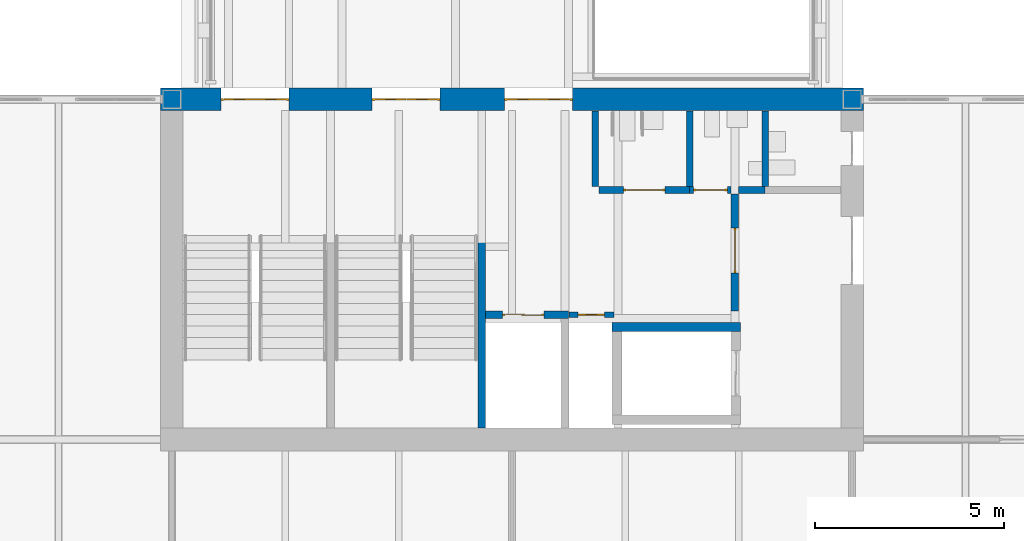
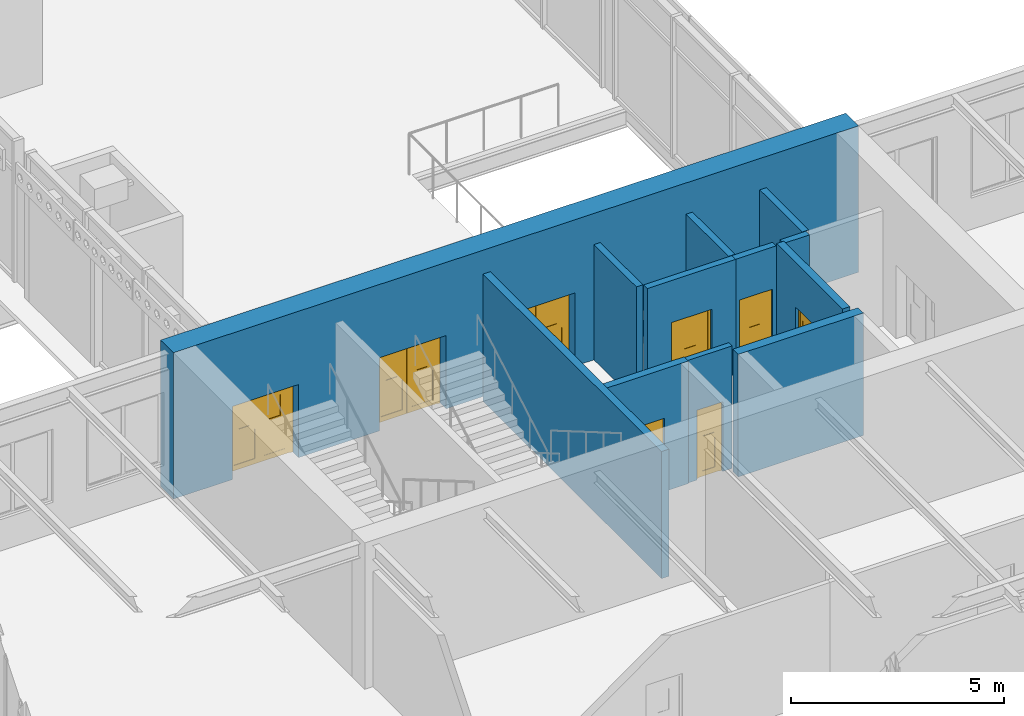
# One storey, part 62 of 123: 12 walls, 8 doors, 8 openings.
"""IFC4 building model written with IfcOpenShell, lengths in metres."""

from ifc_helpers import new_model, si_unit, direction, frame, frame_2d, origin, place, context, subcontext, project, spatial, polyline, rectangle, outline, extrude, material, layer, layer_set, type_object, element, fill, save


model = new_model("IFC4")

# Units and contexts
model_context = context("Model", 3, precision=1e-05, world=origin(), true_north=direction((0.0, 1.0)))
body_context = subcontext(model_context, "Body", "Model", "MODEL_VIEW")
ifc_project = project(units=[si_unit("LENGTHUNIT", "METRE"), si_unit("AREAUNIT", "SQUARE_METRE"), si_unit("VOLUMEUNIT", "CUBIC_METRE"), si_unit("PLANEANGLEUNIT", "RADIAN"), si_unit("MASSUNIT", "GRAM", prefix="KILO")], contexts=[model_context])

# Site, building, storey
site_placement = place(None, origin())
site = spatial("IfcSite", under=ifc_project, at=site_placement, CompositionType="ELEMENT")
building_placement = place(site_placement, origin())
building = spatial("IfcBuilding", under=site, at=building_placement, Name="Baradari Gate Terminus", CompositionType="ELEMENT")
storey_placement = place(building_placement, frame((0.0, 0.0, 7.5)))
storey = spatial("IfcBuildingStorey", under=building, at=storey_placement, Name="L01", CompositionType="ELEMENT", Elevation=7.5)

# Wall, openings, doors
ifc_material_1 = material(Name="Concrete C40/50", Category="concrete")
ifc_layer_1 = layer(ifc_material_1, 0.60009765625)
ifc_layer_set_1 = layer_set([ifc_layer_1], Name="Concrete C40/50")
wall_type_1 = type_object("IfcWallType", Name="Abutment core wall CWL04 600", PredefinedType="SOLIDWALL", material=ifc_layer_set_1)
wall_1_placement = place(storey_placement, frame((71.699951171875, 36.0, 0.0), z_axis=(0.0, 0.0, 1.0), x_axis=(1.0, 0.0, 0.0)))
wall_1 = element("IfcWall", 1, at=wall_1_placement, inside=storey, type_object=wall_type_1, Name="Abutment core wall GS N L01", PredefinedType="SOLIDWALL", context=body_context, shape_type="SweptSolid", body=[
    extrude(rectangle(XDim=18.60009765625, YDim=0.60009765625, at=frame_2d((9.300048828125, 0.0))), origin(), (0.0, 0.0, 1.0), 4.199951171875),
])
opening_1_placement = place(wall_1_placement, frame((1.60009765625, 0.0, 0.0)))
opening_1 = element("IfcOpeningElement", 2, at=opening_1_placement, cuts=wall_1, Name="Opening D01-099", PredefinedType="OPENING", context=body_context, shape_type="SweptSolid", body=[
    extrude(rectangle(XDim=1.800048828125, YDim=2.10009765625, at=frame_2d((0.89990234375, 1.050048828125))), frame((0.0, 0.31005859375, 0.0), z_axis=(0.0, -1.0, 0.0), x_axis=(1.0, 0.0, 0.0)), (0.0, 0.0, 1.0), 0.6201171875),
])
opening_2_placement = place(wall_1_placement, frame((5.60009765625, 0.0, 0.0)))
opening_2 = element("IfcOpeningElement", 3, at=opening_2_placement, cuts=wall_1, Name="Opening D01-100", PredefinedType="OPENING", context=body_context, shape_type="SweptSolid", body=[
    extrude(rectangle(XDim=1.800048828125, YDim=2.10009765625, at=frame_2d((0.89990234375, 1.050048828125))), frame((0.0, 0.31005859375, 0.0), z_axis=(0.0, -1.0, 0.0), x_axis=(1.0, 0.0, 0.0)), (0.0, 0.0, 1.0), 0.6201171875),
])
opening_3_placement = place(wall_1_placement, frame((9.10009765625, 0.0, 0.0)))
opening_3 = element("IfcOpeningElement", 4, at=opening_3_placement, cuts=wall_1, Name="Opening D01-101", PredefinedType="OPENING", context=body_context, shape_type="SweptSolid", body=[
    extrude(rectangle(XDim=1.800048828125, YDim=2.10009765625, at=frame_2d((0.89990234375, 1.050048828125))), frame((0.0, 0.31005859375, 0.0), z_axis=(0.0, -1.0, 0.0), x_axis=(1.0, 0.0, 0.0)), (0.0, 0.0, 1.0), 0.6201171875),
])
ifc_material_2 = material(Name="Steel S275", Category="steel")
door_type_1 = type_object("IfcDoorType", Name="Fire door FI-1800-FD90S 1800x2100 FD90S", OperationType="DOUBLE_DOOR_SINGLE_SWING", PredefinedType="DOOR", material=ifc_material_2)
door_1_placement = place(opening_1_placement, frame((1.800048828125, 0.0, 0.0), z_axis=(0.0, 0.0, 1.0), x_axis=(-1.0, 0.0, 0.0)))
door_1 = element("IfcDoor", 5, at=door_1_placement, inside=storey, type_object=door_type_1, Name="Door Stair (Gate South) 1", OperationType="DOUBLE_DOOR_SINGLE_SWING", OverallHeight=2.1, OverallWidth=1.8, PredefinedType="DOOR", context=body_context, shape_type="SweptSolid", body=[
    extrude(outline(polyline([(0.0, 0.0), (0.070068359375, 0.0), (0.070068359375, 2.030029296875), (1.72998046875, 2.030029296875), (1.72998046875, 0.0), (1.800048828125, 0.0), (1.800048828125, 2.10009765625), (0.0, 2.10009765625), (0.0, 0.0)])), frame((0.0, 0.02490234375, 0.0), z_axis=(0.0, -1.0, 0.0), x_axis=(1.0, 0.0, 0.0)), (0.0, 0.0, 1.0), 0.050048828125),
    extrude(outline(polyline([(0.073974609375, 0.010009765625), (0.89697265625, 0.010009765625), (0.89697265625, 2.026123046875), (0.073974609375, 2.026123046875), (0.073974609375, 0.010009765625)]), holes=[polyline([(0.194091796875, 0.159912109375), (0.77685546875, 0.159912109375), (0.77685546875, 1.010009765625), (0.194091796875, 1.010009765625), (0.194091796875, 0.159912109375)]), polyline([(0.33544921875, 1.159912109375), (0.635498046875, 1.159912109375), (0.635498046875, 1.760009765625), (0.33544921875, 1.760009765625), (0.33544921875, 1.159912109375)])]), frame((0.0, 0.017333984375, 0.0), z_axis=(0.0, -1.0, 0.0), x_axis=(1.0, 0.0, 0.0)), (0.0, 0.0, 1.0), 0.034912109375),
    extrude(rectangle(XDim=0.582763671875, YDim=0.85009765625, at=frame_2d((0.4853515625, 0.5849609375))), frame((0.0, 0.008544921875, 0.0), z_axis=(0.0, -1.0, 0.0), x_axis=(1.0, 0.0, 0.0)), (0.0, 0.0, 1.0), 0.017333984375),
    extrude(rectangle(XDim=0.300048828125, YDim=0.60009765625, at=frame_2d((0.4853515625, 1.4599609375))), frame((0.0, 0.005859375, 0.0), z_axis=(0.0, -1.0, 0.0), x_axis=(1.0, 0.0, 0.0)), (0.0, 0.0, 1.0), 0.011962890625),
    extrude(outline(polyline([(0.903076171875, 0.010009765625), (1.72607421875, 0.010009765625), (1.72607421875, 2.026123046875), (0.903076171875, 2.026123046875), (0.903076171875, 0.010009765625)]), holes=[polyline([(1.023193359375, 0.159912109375), (1.60595703125, 0.159912109375), (1.60595703125, 1.010009765625), (1.023193359375, 1.010009765625), (1.023193359375, 0.159912109375)]), polyline([(1.16455078125, 1.159912109375), (1.464599609375, 1.159912109375), (1.464599609375, 1.760009765625), (1.16455078125, 1.760009765625), (1.16455078125, 1.159912109375)])]), frame((0.0, 0.017333984375, 0.0), z_axis=(0.0, -1.0, 0.0), x_axis=(1.0, 0.0, 0.0)), (0.0, 0.0, 1.0), 0.034912109375),
    extrude(rectangle(XDim=0.582763671875, YDim=0.85009765625, at=frame_2d((1.314453125, 0.5849609375))), frame((0.0, 0.008544921875, 0.0), z_axis=(0.0, -1.0, 0.0), x_axis=(1.0, 0.0, 0.0)), (0.0, 0.0, 1.0), 0.017333984375),
    extrude(rectangle(XDim=0.300048828125, YDim=0.60009765625, at=frame_2d((1.314453125, 1.4599609375))), frame((0.0, 0.005859375, 0.0), z_axis=(0.0, -1.0, 0.0), x_axis=(1.0, 0.0, 0.0)), (0.0, 0.0, 1.0), 0.011962890625),
])
fill(opening_1, door_1)
door_2_placement = place(opening_2_placement, frame((1.800048828125, 0.0, 0.0), z_axis=(0.0, 0.0, 1.0), x_axis=(-1.0, 0.0, 0.0)))
door_2 = element("IfcDoor", 6, at=door_2_placement, inside=storey, type_object=door_type_1, Name="Door Stair (Gate South) 2", OperationType="DOUBLE_DOOR_SINGLE_SWING", OverallHeight=2.1, OverallWidth=1.8, PredefinedType="DOOR", context=body_context, shape_type="SweptSolid", body=[
    extrude(outline(polyline([(0.0, 0.0), (0.070068359375, 0.0), (0.070068359375, 2.030029296875), (1.72998046875, 2.030029296875), (1.72998046875, 0.0), (1.800048828125, 0.0), (1.800048828125, 2.10009765625), (0.0, 2.10009765625), (0.0, 0.0)])), frame((0.0, 0.02490234375, 0.0), z_axis=(0.0, -1.0, 0.0), x_axis=(1.0, 0.0, 0.0)), (0.0, 0.0, 1.0), 0.050048828125),
    extrude(outline(polyline([(0.073974609375, 0.010009765625), (0.89697265625, 0.010009765625), (0.89697265625, 2.026123046875), (0.073974609375, 2.026123046875), (0.073974609375, 0.010009765625)]), holes=[polyline([(0.194091796875, 0.159912109375), (0.77685546875, 0.159912109375), (0.77685546875, 1.010009765625), (0.194091796875, 1.010009765625), (0.194091796875, 0.159912109375)]), polyline([(0.33544921875, 1.159912109375), (0.635498046875, 1.159912109375), (0.635498046875, 1.760009765625), (0.33544921875, 1.760009765625), (0.33544921875, 1.159912109375)])]), frame((0.0, 0.017333984375, 0.0), z_axis=(0.0, -1.0, 0.0), x_axis=(1.0, 0.0, 0.0)), (0.0, 0.0, 1.0), 0.034912109375),
    extrude(rectangle(XDim=0.582763671875, YDim=0.85009765625, at=frame_2d((0.4853515625, 0.5849609375))), frame((0.0, 0.008544921875, 0.0), z_axis=(0.0, -1.0, 0.0), x_axis=(1.0, 0.0, 0.0)), (0.0, 0.0, 1.0), 0.017333984375),
    extrude(rectangle(XDim=0.300048828125, YDim=0.60009765625, at=frame_2d((0.4853515625, 1.4599609375))), frame((0.0, 0.005859375, 0.0), z_axis=(0.0, -1.0, 0.0), x_axis=(1.0, 0.0, 0.0)), (0.0, 0.0, 1.0), 0.011962890625),
    extrude(outline(polyline([(0.903076171875, 0.010009765625), (1.72607421875, 0.010009765625), (1.72607421875, 2.026123046875), (0.903076171875, 2.026123046875), (0.903076171875, 0.010009765625)]), holes=[polyline([(1.023193359375, 0.159912109375), (1.60595703125, 0.159912109375), (1.60595703125, 1.010009765625), (1.023193359375, 1.010009765625), (1.023193359375, 0.159912109375)]), polyline([(1.16455078125, 1.159912109375), (1.464599609375, 1.159912109375), (1.464599609375, 1.760009765625), (1.16455078125, 1.760009765625), (1.16455078125, 1.159912109375)])]), frame((0.0, 0.017333984375, 0.0), z_axis=(0.0, -1.0, 0.0), x_axis=(1.0, 0.0, 0.0)), (0.0, 0.0, 1.0), 0.034912109375),
    extrude(rectangle(XDim=0.582763671875, YDim=0.85009765625, at=frame_2d((1.314453125, 0.5849609375))), frame((0.0, 0.008544921875, 0.0), z_axis=(0.0, -1.0, 0.0), x_axis=(1.0, 0.0, 0.0)), (0.0, 0.0, 1.0), 0.017333984375),
    extrude(rectangle(XDim=0.300048828125, YDim=0.60009765625, at=frame_2d((1.314453125, 1.4599609375))), frame((0.0, 0.005859375, 0.0), z_axis=(0.0, -1.0, 0.0), x_axis=(1.0, 0.0, 0.0)), (0.0, 0.0, 1.0), 0.011962890625),
])
fill(opening_2, door_2)
door_3_placement = place(opening_3_placement, frame((1.800048828125, 0.0, 0.0), z_axis=(0.0, 0.0, 1.0), x_axis=(-1.0, 0.0, 0.0)))
door_3 = element("IfcDoor", 7, at=door_3_placement, inside=storey, type_object=door_type_1, Name="Door Lift Lobby", OperationType="DOUBLE_DOOR_SINGLE_SWING", OverallHeight=2.1, OverallWidth=1.8, PredefinedType="DOOR", context=body_context, shape_type="SweptSolid", body=[
    extrude(outline(polyline([(0.0, 0.0), (0.070068359375, 0.0), (0.070068359375, 2.030029296875), (1.72998046875, 2.030029296875), (1.72998046875, 0.0), (1.800048828125, 0.0), (1.800048828125, 2.10009765625), (0.0, 2.10009765625), (0.0, 0.0)])), frame((0.0, 0.02490234375, 0.0), z_axis=(0.0, -1.0, 0.0), x_axis=(1.0, 0.0, 0.0)), (0.0, 0.0, 1.0), 0.050048828125),
    extrude(outline(polyline([(0.073974609375, 0.010009765625), (0.89697265625, 0.010009765625), (0.89697265625, 2.026123046875), (0.073974609375, 2.026123046875), (0.073974609375, 0.010009765625)]), holes=[polyline([(0.194091796875, 0.159912109375), (0.77685546875, 0.159912109375), (0.77685546875, 1.010009765625), (0.194091796875, 1.010009765625), (0.194091796875, 0.159912109375)]), polyline([(0.33544921875, 1.159912109375), (0.635498046875, 1.159912109375), (0.635498046875, 1.760009765625), (0.33544921875, 1.760009765625), (0.33544921875, 1.159912109375)])]), frame((0.0, 0.017333984375, 0.0), z_axis=(0.0, -1.0, 0.0), x_axis=(1.0, 0.0, 0.0)), (0.0, 0.0, 1.0), 0.034912109375),
    extrude(rectangle(XDim=0.582763671875, YDim=0.85009765625, at=frame_2d((0.4853515625, 0.5849609375))), frame((0.0, 0.008544921875, 0.0), z_axis=(0.0, -1.0, 0.0), x_axis=(1.0, 0.0, 0.0)), (0.0, 0.0, 1.0), 0.017333984375),
    extrude(rectangle(XDim=0.300048828125, YDim=0.60009765625, at=frame_2d((0.4853515625, 1.4599609375))), frame((0.0, 0.005859375, 0.0), z_axis=(0.0, -1.0, 0.0), x_axis=(1.0, 0.0, 0.0)), (0.0, 0.0, 1.0), 0.011962890625),
    extrude(outline(polyline([(0.903076171875, 0.010009765625), (1.72607421875, 0.010009765625), (1.72607421875, 2.026123046875), (0.903076171875, 2.026123046875), (0.903076171875, 0.010009765625)]), holes=[polyline([(1.023193359375, 0.159912109375), (1.60595703125, 0.159912109375), (1.60595703125, 1.010009765625), (1.023193359375, 1.010009765625), (1.023193359375, 0.159912109375)]), polyline([(1.16455078125, 1.159912109375), (1.464599609375, 1.159912109375), (1.464599609375, 1.760009765625), (1.16455078125, 1.760009765625), (1.16455078125, 1.159912109375)])]), frame((0.0, 0.017333984375, 0.0), z_axis=(0.0, -1.0, 0.0), x_axis=(1.0, 0.0, 0.0)), (0.0, 0.0, 1.0), 0.034912109375),
    extrude(rectangle(XDim=0.582763671875, YDim=0.85009765625, at=frame_2d((1.314453125, 0.5849609375))), frame((0.0, 0.008544921875, 0.0), z_axis=(0.0, -1.0, 0.0), x_axis=(1.0, 0.0, 0.0)), (0.0, 0.0, 1.0), 0.017333984375),
    extrude(rectangle(XDim=0.300048828125, YDim=0.60009765625, at=frame_2d((1.314453125, 1.4599609375))), frame((0.0, 0.005859375, 0.0), z_axis=(0.0, -1.0, 0.0), x_axis=(1.0, 0.0, 0.0)), (0.0, 0.0, 1.0), 0.011962890625),
])
fill(opening_3, door_3)

# Wall
ifc_material_3 = material(Name="Concrete C32/40", Category="concrete")
ifc_layer_2 = layer(ifc_material_3, 0.25)
ifc_layer_set_2 = layer_set([ifc_layer_2], Name="Concrete C32/40")
wall_type_2 = type_object("IfcWallType", Name="Firefighting lift shaft wall SH-2 250 EI 120", PredefinedType="SOLIDWALL", material=ifc_layer_set_2)
wall_2_placement = place(storey_placement, frame((83.64990234375, 29.97509765625, 0.0), z_axis=(0.0, 0.0, 1.0), x_axis=(1.0, 0.0, 0.0)))
element("IfcWall", 8, at=wall_2_placement, inside=storey, type_object=wall_type_2, Name="Lift shaft wall LGS2 L01 N", PredefinedType="SOLIDWALL", context=body_context, shape_type="SweptSolid", body=[
    extrude(rectangle(XDim=3.400146484375, YDim=0.25, at=frame_2d((1.7001953125, 0.0))), origin(), (0.0, 0.0, 1.0), 3.51611328125),
])

# Wall, opening, door
ifc_material_4 = material(Name="Blockwork wall, fire rated", Category="masonry")
ifc_layer_3 = layer(ifc_material_4, 0.199951171875)
ifc_layer_set_3 = layer_set([ifc_layer_3], Name="Blockwork wall, fire rated")
wall_type_3 = type_object("IfcWallType", Name="Lift shaft wall SH-1 200 EI 120", PredefinedType="SOLIDWALL", material=ifc_layer_set_3)
wall_3_placement = place(storey_placement, frame((80.302001953125, 30.300048828125, 0.0), z_axis=(0.0, 0.0, 1.0), x_axis=(1.0, 0.0, 0.0)))
wall_3 = element("IfcWall", 9, at=wall_3_placement, inside=storey, type_object=wall_type_3, Name="Lift shaft wall LGS1 L01 N", PredefinedType="SOLIDWALL", context=body_context, shape_type="SweptSolid", body=[
    extrude(rectangle(XDim=2.197998046875, YDim=0.199951171875, at=frame_2d((1.09912109375, 0.0))), origin(), (0.0, 0.0, 1.0), 3.51611328125),
])
opening_4_placement = place(wall_3_placement, frame((0.447998046875, 0.0, 0.0)))
opening_4 = element("IfcOpeningElement", 10, at=opening_4_placement, cuts=wall_3, Name="Opening D01-003", PredefinedType="OPENING", context=body_context, shape_type="SweptSolid", body=[
    extrude(rectangle(XDim=1.10009765625, YDim=2.10009765625, at=frame_2d((0.550048828125, 1.050048828125))), frame((0.0, 0.10986328125, 0.0), z_axis=(0.0, -1.0, 0.0), x_axis=(1.0, 0.0, 0.0)), (0.0, 0.0, 1.0), 0.219970703125),
])
ifc_material_5 = material(Name="Stainless steel 1.4301", Category="steel")
door_type_2 = type_object("IfcDoorType", Name="Lift landing door LD 1100x2100 E 120", OperationType="SLIDING_TO_LEFT", PredefinedType="DOOR", material=ifc_material_5)
door_4_placement = place(opening_4_placement, origin())
door_4 = element("IfcDoor", 11, at=door_4_placement, inside=storey, type_object=door_type_2, Name="Lift landing door LGS1 L01", OperationType="SLIDING_TO_LEFT", OverallHeight=2.1, OverallWidth=1.1, PredefinedType="DOOR", context=body_context, shape_type="SweptSolid", body=[
    extrude(outline(polyline([(0.0, 0.0), (0.070068359375, 0.0), (0.070068359375, 2.030029296875), (1.030029296875, 2.030029296875), (1.030029296875, 0.0), (1.10009765625, 0.0), (1.10009765625, 2.10009765625), (0.0, 2.10009765625), (0.0, 0.0)])), frame((0.0, 0.02490234375, 0.0), z_axis=(0.0, -1.0, 0.0), x_axis=(1.0, 0.0, 0.0)), (0.0, 0.0, 1.0), 0.050048828125),
    extrude(rectangle(XDim=0.523681640625, YDim=2.01611328125, at=frame_2d((0.3359375, 1.01806640625))), frame((0.0, 0.017822265625, 0.0), z_axis=(0.0, -1.0, 0.0), x_axis=(1.0, 0.0, 0.0)), (0.0, 0.0, 1.0), 0.015869140625),
    extrude(rectangle(XDim=0.519775390625, YDim=2.01611328125, at=frame_2d((0.76611328125, 1.01806640625))), frame((0.0, -0.002197265625, 0.0), z_axis=(0.0, -1.0, 0.0), x_axis=(1.0, 0.0, 0.0)), (0.0, 0.0, 1.0), 0.015869140625),
])
fill(opening_4, door_4)

ifc_material_6 = material(Name="Blockwork wall, plastered, fire rated", Category="masonry")
ifc_layer_4 = layer(ifc_material_6, 0.199951171875)
ifc_layer_set_4 = layer_set([ifc_layer_4], Name="Blockwork wall, plastered, fire rated")
wall_type_4 = type_object("IfcWallType", Name="Lobby partition PT-4 200 EI 60", PredefinedType="PARTITIONING", material=ifc_layer_set_4)
wall_4_placement = place(storey_placement, frame((86.89990234375, 33.5, 0.0), z_axis=(0.0, 0.0, 1.0), x_axis=(0.0, -1.0, 0.0)))
wall_4 = element("IfcWall", 12, at=wall_4_placement, inside=storey, type_object=wall_type_4, Name="PT-4 partition Lift Lobby / Lift Lobby (Fire-fighting)", PredefinedType="PARTITIONING", context=body_context, shape_type="SweptSolid", body=[
    extrude(rectangle(XDim=3.10009765625, YDim=0.199951171875, at=frame_2d((1.550048828125, 0.0))), origin(), (0.0, 0.0, 1.0), 3.382080078125),
])
opening_5_placement = place(wall_4_placement, frame((0.89990234375, 0.0, 0.0)))
opening_5 = element("IfcOpeningElement", 13, at=opening_5_placement, cuts=wall_4, Name="Opening D01-102", PredefinedType="OPENING", context=body_context, shape_type="SweptSolid", body=[
    extrude(rectangle(XDim=1.199951171875, YDim=2.10009765625, at=frame_2d((0.60009765625, 1.050048828125))), frame((0.0, 0.10986328125, 0.0), z_axis=(0.0, -1.0, 0.0), x_axis=(1.0, 0.0, 0.0)), (0.0, 0.0, 1.0), 0.219970703125),
])
ifc_material_7 = material(Name="Steel S275", Category="steel")
door_type_3 = type_object("IfcDoorType", Name="Fire door FI-1200-FD60S 1200x2100 FD60S", OperationType="DOUBLE_DOOR_SINGLE_SWING", PredefinedType="DOOR", material=ifc_material_7)
door_5_placement = place(opening_5_placement, origin())
door_5 = element("IfcDoor", 14, at=door_5_placement, inside=storey, type_object=door_type_3, Name="Door Lift Lobby (Fire-fighting)", OperationType="DOUBLE_DOOR_SINGLE_SWING", OverallHeight=2.1, OverallWidth=1.2, PredefinedType="DOOR", context=body_context, shape_type="SweptSolid", body=[
    extrude(outline(polyline([(0.0, 0.0), (0.070068359375, 0.0), (0.070068359375, 2.030029296875), (1.1298828125, 2.030029296875), (1.1298828125, 0.0), (1.199951171875, 0.0), (1.199951171875, 2.10009765625), (0.0, 2.10009765625), (0.0, 0.0)])), frame((0.0, 0.02490234375, 0.0), z_axis=(0.0, -1.0, 0.0), x_axis=(1.0, 0.0, 0.0)), (0.0, 0.0, 1.0), 0.050048828125),
    extrude(outline(polyline([(0.073974609375, 0.010009765625), (0.596923828125, 0.010009765625), (0.596923828125, 2.026123046875), (0.073974609375, 2.026123046875), (0.073974609375, 0.010009765625)]), holes=[polyline([(0.178466796875, 0.372802734375), (0.492431640625, 0.372802734375), (0.492431640625, 1.7841796875), (0.178466796875, 1.7841796875), (0.178466796875, 0.372802734375)])]), frame((0.0, 0.017333984375, 0.0), z_axis=(0.0, -1.0, 0.0), x_axis=(1.0, 0.0, 0.0)), (0.0, 0.0, 1.0), 0.034912109375),
    extrude(rectangle(XDim=0.31396484375, YDim=1.411376953125, at=frame_2d((0.33544921875, 1.07861328125))), frame((0.0, 0.008544921875, 0.0), z_axis=(0.0, -1.0, 0.0), x_axis=(1.0, 0.0, 0.0)), (0.0, 0.0, 1.0), 0.017333984375),
    extrude(outline(polyline([(0.60302734375, 0.010009765625), (1.1259765625, 0.010009765625), (1.1259765625, 2.026123046875), (0.60302734375, 2.026123046875), (0.60302734375, 0.010009765625)]), holes=[polyline([(0.70751953125, 0.372802734375), (1.021484375, 0.372802734375), (1.021484375, 1.7841796875), (0.70751953125, 1.7841796875), (0.70751953125, 0.372802734375)])]), frame((0.0, 0.017333984375, 0.0), z_axis=(0.0, -1.0, 0.0), x_axis=(1.0, 0.0, 0.0)), (0.0, 0.0, 1.0), 0.034912109375),
    extrude(rectangle(XDim=0.31396484375, YDim=1.411376953125, at=frame_2d((0.864501953125, 1.07861328125))), frame((0.0, 0.008544921875, 0.0), z_axis=(0.0, -1.0, 0.0), x_axis=(1.0, 0.0, 0.0)), (0.0, 0.0, 1.0), 0.017333984375),
])
fill(opening_5, door_5)

ifc_material_8 = material(Name="Blockwork wall, fire rated", Category="masonry")
ifc_layer_5 = layer(ifc_material_8, 0.14990234375)
ifc_layer_set_5 = layer_set([ifc_layer_5], Name="Blockwork wall, fire rated")
wall_type_5 = type_object("IfcWallType", Name="Riser wall RW-1 150 EI 120", PredefinedType="SOLIDWALL", material=ifc_layer_set_5)
wall_5_placement = place(storey_placement, frame((83.699951171875, 30.300048828125, 0.0), z_axis=(0.0, 0.0, 1.0), x_axis=(-1.0, 0.0, 0.0)))
wall_5 = element("IfcWall", 15, at=wall_5_placement, inside=storey, type_object=wall_type_5, Name="RW-1 partition Lift Lobby / Riser", PredefinedType="SOLIDWALL", context=body_context, shape_type="SweptSolid", body=[
    extrude(rectangle(XDim=1.197998046875, YDim=0.14990234375, at=frame_2d((0.59912109375, 0.0))), origin(), (0.0, 0.0, 1.0), 3.51611328125),
])
opening_6_placement = place(wall_5_placement, frame((0.25, 0.0, 0.0)))
opening_6 = element("IfcOpeningElement", 16, at=opening_6_placement, cuts=wall_5, Name="Opening D01-104", PredefinedType="OPENING", context=body_context, shape_type="SweptSolid", body=[
    extrude(rectangle(XDim=0.699951171875, YDim=2.0, at=frame_2d((0.35009765625, 1.0))), frame((0.0, 0.0849609375, 0.0), z_axis=(0.0, -1.0, 0.0), x_axis=(1.0, 0.0, 0.0)), (0.0, 0.0, 1.0), 0.169921875),
])
ifc_material_9 = material(Name="Steel S275", Category="steel")
door_type_4 = type_object("IfcDoorType", Name="Fire door FI-700x2000-FD90S 700x2000 FD90S", OperationType="SINGLE_SWING_LEFT", PredefinedType="DOOR", material=ifc_material_9)
door_6_placement = place(opening_6_placement, origin())
door_6 = element("IfcDoor", 17, at=door_6_placement, inside=storey, type_object=door_type_4, Name="Door Riser", OperationType="SINGLE_SWING_RIGHT", OverallHeight=2.0, OverallWidth=0.7, PredefinedType="DOOR", context=body_context, shape_type="SweptSolid", body=[
    extrude(outline(polyline([(0.0, 0.0), (0.070068359375, 0.0), (0.070068359375, 1.929931640625), (0.6298828125, 1.929931640625), (0.6298828125, 0.0), (0.699951171875, 0.0), (0.699951171875, 2.0), (0.0, 2.0), (0.0, 0.0)])), frame((0.0, 0.02490234375, 0.0), z_axis=(0.0, -1.0, 0.0), x_axis=(1.0, 0.0, 0.0)), (0.0, 0.0, 1.0), 0.050048828125),
    extrude(outline(polyline([(0.073974609375, 0.010009765625), (0.6259765625, 0.010009765625), (0.6259765625, 1.926025390625), (0.073974609375, 1.926025390625), (0.073974609375, 0.010009765625)]), holes=[polyline([(0.184326171875, 0.159912109375), (0.515625, 0.159912109375), (0.515625, 1.010009765625), (0.184326171875, 1.010009765625), (0.184326171875, 0.159912109375)]), polyline([(0.199951171875, 1.159912109375), (0.5, 1.159912109375), (0.5, 1.760009765625), (0.199951171875, 1.760009765625), (0.199951171875, 1.159912109375)])]), frame((0.0, 0.017333984375, 0.0), z_axis=(0.0, -1.0, 0.0), x_axis=(1.0, 0.0, 0.0)), (0.0, 0.0, 1.0), 0.034912109375),
    extrude(rectangle(XDim=0.331298828125, YDim=0.85009765625, at=frame_2d((0.35009765625, 0.5849609375))), frame((0.0, 0.008544921875, 0.0), z_axis=(0.0, -1.0, 0.0), x_axis=(1.0, 0.0, 0.0)), (0.0, 0.0, 1.0), 0.017333984375),
    extrude(rectangle(XDim=0.300048828125, YDim=0.60009765625, at=frame_2d((0.35009765625, 1.4599609375))), frame((0.0, 0.005859375, 0.0), z_axis=(0.0, -1.0, 0.0), x_axis=(1.0, 0.0, 0.0)), (0.0, 0.0, 1.0), 0.011962890625),
])
fill(opening_6, door_6)

# Walls
ifc_material_10 = material(Name="Concrete C40/50", Category="concrete")
ifc_layer_6 = layer(ifc_material_10, 0.199951171875)
ifc_layer_set_6 = layer_set([ifc_layer_6], Name="Concrete C40/50")
wall_type_6 = type_object("IfcWallType", Name="Stair enclosure wall SE-4 200 EI 120", PredefinedType="SOLIDWALL", material=ifc_layer_set_6)
wall_6_placement = place(storey_placement, frame((80.199951171875, 27.302001953125, -0.1298828125), z_axis=(0.0, 0.0, 1.0), x_axis=(0.0, 1.0, 0.0)))
element("IfcWall", 18, at=wall_6_placement, inside=storey, type_object=wall_type_6, Name="Stair enclosure wall SE-4 ST-GS2 L01 E", PredefinedType="SOLIDWALL", context=body_context, shape_type="SweptSolid", body=[
    extrude(rectangle(XDim=8.39599609375, YDim=0.199951171875, at=frame_2d((4.197998046875, 0.0))), origin(), (0.0, 0.0, 1.0), 3.64599609375),
])
ifc_material_11 = material(Name="Blockwork wall, tiled both faces", Category="masonry")
ifc_layer_7 = layer(ifc_material_11, 0.175048828125)
ifc_layer_set_7 = layer_set([ifc_layer_7], Name="Blockwork wall, tiled both faces")
wall_type_7 = type_object("IfcWallType", Name="WC wet wall PT-6 175 EI 60", PredefinedType="PARTITIONING", material=ifc_layer_set_7)
wall_7_placement = place(storey_placement, frame((83.199951171875, 35.697998046875, 0.0), z_axis=(0.0, 0.0, 1.0), x_axis=(0.0, -1.0, 0.0)))
element("IfcWall", 19, at=wall_7_placement, inside=storey, type_object=wall_type_7, Name="PT-6 partition Lift Lobby / Accessible WC", PredefinedType="PARTITIONING", context=body_context, shape_type="SweptSolid", body=[
    extrude(rectangle(XDim=1.998046875, YDim=0.175048828125, at=frame_2d((0.9990234375, 0.0))), origin(), (0.0, 0.0, 1.0), 3.306884765625),
])

# Wall, opening, door
wall_8_placement = place(storey_placement, frame((83.300048828125, 33.60009765625, 0.0), z_axis=(0.0, 0.0, 1.0), x_axis=(1.0, 0.0, 0.0)))
wall_8 = element("IfcWall", 20, at=wall_8_placement, inside=storey, type_object=wall_type_7, Name="PT-6 partition Lift Lobby / Accessible WC", PredefinedType="PARTITIONING", context=body_context, shape_type="SweptSolid", body=[
    extrude(rectangle(XDim=2.39990234375, YDim=0.175048828125, at=frame_2d((1.199951171875, 0.0))), origin(), (0.0, 0.0, 1.0), 3.306884765625),
])
opening_7_placement = place(wall_8_placement, frame((0.64990234375, 0.0, 0.0)))
opening_7 = element("IfcOpeningElement", 21, at=opening_7_placement, cuts=wall_8, Name="Opening D01-105", PredefinedType="OPENING", context=body_context, shape_type="SweptSolid", body=[
    extrude(rectangle(XDim=1.10009765625, YDim=2.10009765625, at=frame_2d((0.550048828125, 1.050048828125))), frame((0.0, 0.097412109375, 0.0), z_axis=(0.0, -1.0, 0.0), x_axis=(1.0, 0.0, 0.0)), (0.0, 0.0, 1.0), 0.195068359375),
])
ifc_material_12 = material(Name="Steel S275", Category="steel")
door_type_5 = type_object("IfcDoorType", Name="Fire door FI-1100-FD60S 1100x2100 FD60S", OperationType="SINGLE_SWING_LEFT", PredefinedType="DOOR", material=ifc_material_12)
door_7_placement = place(opening_7_placement, origin())
door_7 = element("IfcDoor", 22, at=door_7_placement, inside=storey, type_object=door_type_5, Name="Door Accessible WC", OperationType="SINGLE_SWING_LEFT", OverallHeight=2.1, OverallWidth=1.1, PredefinedType="DOOR", context=body_context, shape_type="SweptSolid", body=[
    extrude(outline(polyline([(0.0, 0.0), (0.070068359375, 0.0), (0.070068359375, 2.030029296875), (1.030029296875, 2.030029296875), (1.030029296875, 0.0), (1.10009765625, 0.0), (1.10009765625, 2.10009765625), (0.0, 2.10009765625), (0.0, 0.0)])), frame((0.0, 0.02490234375, 0.0), z_axis=(0.0, -1.0, 0.0), x_axis=(1.0, 0.0, 0.0)), (0.0, 0.0, 1.0), 0.050048828125),
    extrude(outline(polyline([(0.073974609375, 0.010009765625), (1.026123046875, 0.010009765625), (1.026123046875, 2.026123046875), (0.073974609375, 2.026123046875), (0.073974609375, 0.010009765625)]), holes=[polyline([(0.194091796875, 0.159912109375), (0.906005859375, 0.159912109375), (0.906005859375, 1.010009765625), (0.194091796875, 1.010009765625), (0.194091796875, 0.159912109375)]), polyline([(0.400146484375, 1.159912109375), (0.699951171875, 1.159912109375), (0.699951171875, 1.760009765625), (0.400146484375, 1.760009765625), (0.400146484375, 1.159912109375)])]), frame((0.0, 0.017333984375, 0.0), z_axis=(0.0, -1.0, 0.0), x_axis=(1.0, 0.0, 0.0)), (0.0, 0.0, 1.0), 0.034912109375),
    extrude(rectangle(XDim=0.7119140625, YDim=0.85009765625, at=frame_2d((0.550048828125, 0.5849609375))), frame((0.0, 0.008544921875, 0.0), z_axis=(0.0, -1.0, 0.0), x_axis=(1.0, 0.0, 0.0)), (0.0, 0.0, 1.0), 0.017333984375),
    extrude(rectangle(XDim=0.2998046875, YDim=0.60009765625, at=frame_2d((0.550048828125, 1.4599609375))), frame((0.0, 0.005859375, 0.0), z_axis=(0.0, -1.0, 0.0), x_axis=(1.0, 0.0, 0.0)), (0.0, 0.0, 1.0), 0.011962890625),
])
fill(opening_7, door_7)

wall_9_placement = place(storey_placement, frame((85.699951171875, 33.60009765625, 0.0), z_axis=(0.0, 0.0, 1.0), x_axis=(1.0, 0.0, 0.0)))
wall_9 = element("IfcWall", 23, at=wall_9_placement, inside=storey, type_object=wall_type_7, Name="PT-6 partition Lift Lobby / Male WC", PredefinedType="PARTITIONING", context=body_context, shape_type="SweptSolid", body=[
    extrude(rectangle(XDim=1.10009765625, YDim=0.175048828125, at=frame_2d((0.550048828125, 0.0))), origin(), (0.0, 0.0, 1.0), 3.306884765625),
])
opening_8_placement = place(wall_9_placement, frame((0.10009765625, 0.0, 0.0)))
opening_8 = element("IfcOpeningElement", 24, at=opening_8_placement, cuts=wall_9, Name="Opening D01-106", PredefinedType="OPENING", context=body_context, shape_type="SweptSolid", body=[
    extrude(rectangle(XDim=0.89990234375, YDim=2.10009765625, at=frame_2d((0.449951171875, 1.050048828125))), frame((0.0, 0.097412109375, 0.0), z_axis=(0.0, -1.0, 0.0), x_axis=(1.0, 0.0, 0.0)), (0.0, 0.0, 1.0), 0.195068359375),
])
ifc_material_13 = material(Name="Steel S275", Category="steel")
door_type_6 = type_object("IfcDoorType", Name="Fire door FI-900-FD60S 900x2100 FD60S", OperationType="SINGLE_SWING_LEFT", PredefinedType="DOOR", material=ifc_material_13)
door_8_placement = place(opening_8_placement, origin())
door_8 = element("IfcDoor", 25, at=door_8_placement, inside=storey, type_object=door_type_6, Name="Door Male WC", OperationType="SINGLE_SWING_LEFT", OverallHeight=2.1, OverallWidth=0.9, PredefinedType="DOOR", context=body_context, shape_type="SweptSolid", body=[
    extrude(outline(polyline([(0.0, 0.0), (0.070068359375, 0.0), (0.070068359375, 2.030029296875), (0.829833984375, 2.030029296875), (0.829833984375, 0.0), (0.89990234375, 0.0), (0.89990234375, 2.10009765625), (0.0, 2.10009765625), (0.0, 0.0)])), frame((0.0, 0.02490234375, 0.0), z_axis=(0.0, -1.0, 0.0), x_axis=(1.0, 0.0, 0.0)), (0.0, 0.0, 1.0), 0.050048828125),
    extrude(outline(polyline([(0.073974609375, 0.010009765625), (0.825927734375, 0.010009765625), (0.825927734375, 2.026123046875), (0.073974609375, 2.026123046875), (0.073974609375, 0.010009765625)]), holes=[polyline([(0.194091796875, 0.159912109375), (0.705810546875, 0.159912109375), (0.705810546875, 1.010009765625), (0.194091796875, 1.010009765625), (0.194091796875, 0.159912109375)]), polyline([(0.300048828125, 1.159912109375), (0.599853515625, 1.159912109375), (0.599853515625, 1.760009765625), (0.300048828125, 1.760009765625), (0.300048828125, 1.159912109375)])]), frame((0.0, 0.017333984375, 0.0), z_axis=(0.0, -1.0, 0.0), x_axis=(1.0, 0.0, 0.0)), (0.0, 0.0, 1.0), 0.034912109375),
    extrude(rectangle(XDim=0.51171875, YDim=0.85009765625, at=frame_2d((0.449951171875, 0.5849609375))), frame((0.0, 0.008544921875, 0.0), z_axis=(0.0, -1.0, 0.0), x_axis=(1.0, 0.0, 0.0)), (0.0, 0.0, 1.0), 0.017333984375),
    extrude(rectangle(XDim=0.2998046875, YDim=0.60009765625, at=frame_2d((0.449951171875, 1.4599609375))), frame((0.0, 0.005859375, 0.0), z_axis=(0.0, -1.0, 0.0), x_axis=(1.0, 0.0, 0.0)), (0.0, 0.0, 1.0), 0.011962890625),
])
fill(opening_8, door_8)

# Walls
wall_10_placement = place(storey_placement, frame((87.0, 33.60009765625, 0.0), z_axis=(0.0, 0.0, 1.0), x_axis=(1.0, 0.0, 0.0)))
element("IfcWall", 26, at=wall_10_placement, inside=storey, type_object=wall_type_7, Name="PT-6 partition Lift Lobby (Fire-fighting) / Male WC", PredefinedType="PARTITIONING", context=body_context, shape_type="SweptSolid", body=[
    extrude(rectangle(XDim=0.699951171875, YDim=0.175048828125, at=frame_2d((0.35009765625, 0.0))), origin(), (0.0, 0.0, 1.0), 3.306884765625),
])
for number, where, z_axis, x_axis, name in (
    (27, (85.699951171875, 35.697998046875, 0.0), (0.0, 0.0, 1.0), (0.0, -1.0, 0.0), "PT-6 partition Accessible WC / Male WC"),
    (28, (87.699951171875, 35.697998046875, 0.0), (0.0, 0.0, 1.0), (0.0, -1.0, 0.0), "PT-6 partition Male WC / Female WC"),
):
    element("IfcWall", number, at=place(storey_placement, frame(where, z_axis=z_axis, x_axis=x_axis)), inside=storey, type_object=wall_type_7, Name=name, PredefinedType="PARTITIONING", context=body_context, shape_type="SweptSolid", body=[
        extrude(rectangle(XDim=1.998046875, YDim=0.175048828125, at=frame_2d((0.9990234375, 0.0))), origin(), (0.0, 0.0, 1.0), 3.306884765625),
    ])

save(model, "model.ifc")
